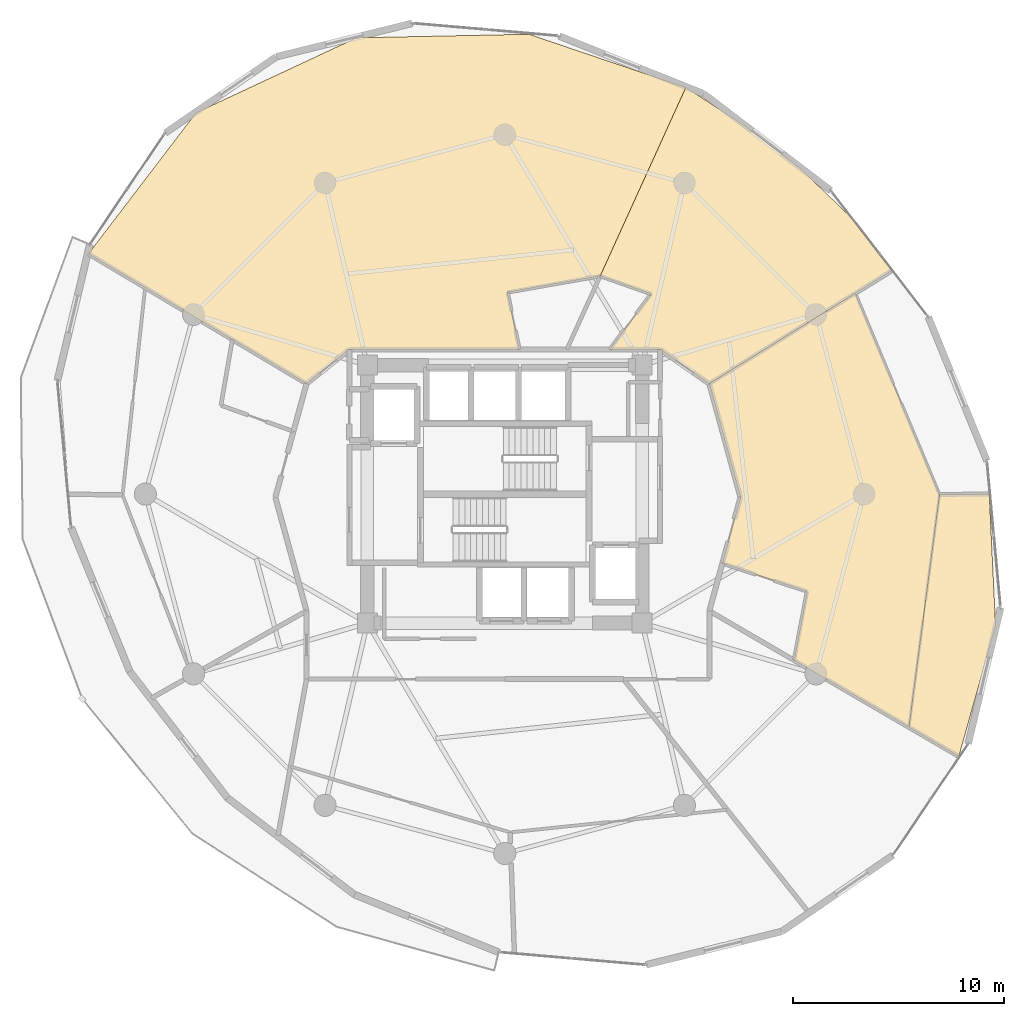
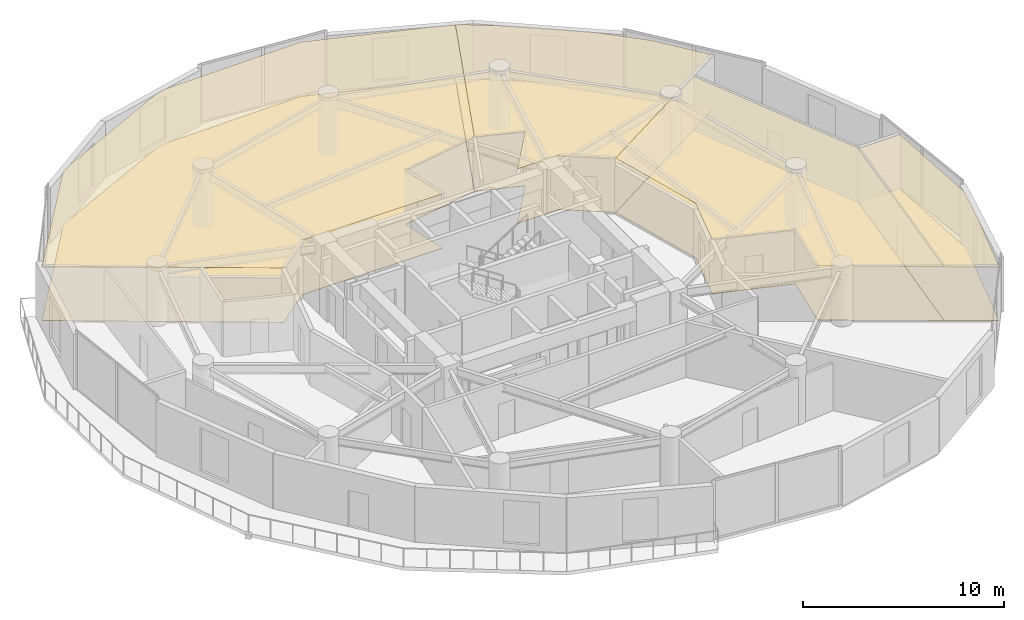
# One storey, part 22 of 22: 8 coverings.
"""IFC4 building model written with IfcOpenShell, lengths in metres."""

from ifc_helpers import new_model, si_unit, direction, frame, origin, place, context, subcontext, project, spatial, polyline, outline, extrude, material, layer, layer_set, type_object, element, save


model = new_model("IFC4")

# Units and contexts
model_context = context("Model", 3, precision=1e-05, world=origin(), true_north=direction((0.0, 1.0)))
body_context = subcontext(model_context, "Body", "Model", "MODEL_VIEW")
ifc_project = project(units=[si_unit("LENGTHUNIT", "METRE"), si_unit("AREAUNIT", "SQUARE_METRE"), si_unit("VOLUMEUNIT", "CUBIC_METRE"), si_unit("PLANEANGLEUNIT", "RADIAN"), si_unit("MASSUNIT", "GRAM", prefix="KILO")], contexts=[model_context])

# Site, building, storey
site_placement = place(None, origin())
site = spatial("IfcSite", under=ifc_project, at=site_placement, CompositionType="ELEMENT")
building_placement = place(site_placement, origin())
building = spatial("IfcBuilding", under=site, at=building_placement, Name="Solvirekh Grand Hotel", CompositionType="ELEMENT")
storey_placement = place(building_placement, frame((0.0, 0.0, 145.800048828125)))
storey = spatial("IfcBuildingStorey", under=building, at=storey_placement, Name="L37", CompositionType="ELEMENT", Elevation=145.800048828125)

# Coverings
ifc_material_1 = material(Name="Acoustic Mineral Ceiling Tile")
ifc_layer_1 = layer(ifc_material_1, 0.02490234375)
ifc_layer_set_1 = layer_set([ifc_layer_1], Name="Acoustic Mineral Ceiling Tile")
covering_type_1 = type_object("IfcCoveringType", Name="Cov_Ceiling_Acoustic", PredefinedType="CEILING", material=ifc_layer_set_1)
covering_1_placement = place(storey_placement, frame((0.0, 0.0, 3.300048828125)))
element("IfcCovering", 1, at=covering_1_placement, inside=storey, type_object=covering_type_1, Name="L37 Deluxe Guestroom 3901 acoustic ceiling", PredefinedType="CEILING", context=body_context, shape_type="SweptSolid", body=[
    extrude(outline(polyline([(2.93994140625, 6.85009765625), (4.514892578125, 10.318115234375), (6.929931640625, 9.468994140625), (4.968994140625, 6.85009765625), (7.35009765625, 6.85009765625), (9.676025390625, 5.22509765625), (18.302978515625, 10.56689453125), (16.281982421875, 13.18505859375), (13.919921875, 15.4599609375), (11.322998046875, 17.43505859375), (8.56494140625, 19.237060546875), (2.93994140625, 6.85009765625)])), origin(), (0.0, 0.0, 1.0), 0.017822265625),
])
covering_2_placement = place(storey_placement, frame((0.0, 0.0, 3.300048828125)))
element("IfcCovering", 2, at=covering_2_placement, inside=storey, type_object=covering_type_1, Name="L37 Panorama Suite 3902 acoustic ceiling", PredefinedType="CEILING", context=body_context, shape_type="SweptSolid", body=[
    extrude(outline(polyline([(0.68994140625, 6.85009765625), (0.1259765625, 9.547119140625), (4.514892578125, 10.318115234375), (8.56494140625, 19.237060546875), (1.139892578125, 21.751953125), (-7.012939453125, 21.5830078125), (-14.60498046875, 18.034912109375), (-19.68994140625, 11.367919921875), (-9.3759765625, 5.22509765625), (-7.35009765625, 6.85009765625), (0.68994140625, 6.85009765625)])), origin(), (0.0, 0.0, 1.0), 0.017822265625),
])
covering_3_placement = place(storey_placement, frame((0.0, 0.0, 3.300048828125)))
element("IfcCovering", 3, at=covering_3_placement, inside=storey, type_object=covering_type_1, Name="L37 Executive Suite 3904 Living Room acoustic ceiling", PredefinedType="CEILING", context=body_context, shape_type="SweptSolid", body=[
    extrude(outline(polyline([(14.302978515625, -4.60205078125), (13.68896484375, -7.863037109375), (19.117919921875, -11.02490234375), (20.56298828125, -0.030029296875), (16.577880859375, 9.4990234375), (9.676025390625, 5.22509765625), (11.14990234375, -0.14990234375), (10.294921875, -3.26806640625), (14.302978515625, -4.60205078125)])), origin(), (0.0, 0.0, 1.0), 0.017822265625),
])
covering_4_placement = place(storey_placement, frame((0.0, 0.0, 3.300048828125)))
element("IfcCovering", 4, at=covering_4_placement, inside=storey, type_object=covering_type_1, Name="L37 Executive Suite 3904 Master Bedroom acoustic ceiling", PredefinedType="CEILING", context=body_context, shape_type="SweptSolid", body=[
    extrude(outline(polyline([(21.47802734375, -12.39990234375), (23.216064453125, -6.220947265625), (22.916015625, 0.0), (20.56298828125, -0.030029296875), (19.117919921875, -11.02490234375), (21.47802734375, -12.39990234375)])), origin(), (0.0, 0.0, 1.0), 0.017822265625),
])
ifc_material_2 = material(Name="Porcelain Stoneware Flooring", Category="masonry")
ifc_layer_2 = layer(ifc_material_2, 0.030029296875)
ifc_layer_set_2 = layer_set([ifc_layer_2], Name="Porcelain Stoneware Flooring")
covering_type_2 = type_object("IfcCoveringType", Name="Cov_Floor_Stone", PredefinedType="FLOORING", material=ifc_layer_set_2)
covering_5_placement = place(storey_placement, origin())
element("IfcCovering", 5, at=covering_5_placement, inside=storey, type_object=covering_type_2, Name="L37 Deluxe Guestroom 3901 polished granite flooring", PredefinedType="FLOORING", context=body_context, shape_type="SweptSolid", body=[
    extrude(outline(polyline([(2.93994140625, 6.85009765625), (4.514892578125, 10.318115234375), (6.929931640625, 9.468994140625), (4.968994140625, 6.85009765625), (7.35009765625, 6.85009765625), (9.676025390625, 5.22509765625), (18.302978515625, 10.56689453125), (16.281982421875, 13.18505859375), (13.919921875, 15.4599609375), (11.322998046875, 17.43505859375), (8.56494140625, 19.237060546875), (2.93994140625, 6.85009765625)])), origin(), (0.0, 0.0, 1.0), 0.02001953125),
])
covering_6_placement = place(storey_placement, origin())
element("IfcCovering", 6, at=covering_6_placement, inside=storey, type_object=covering_type_2, Name="L37 Panorama Suite 3902 polished granite flooring", PredefinedType="FLOORING", context=body_context, shape_type="SweptSolid", body=[
    extrude(outline(polyline([(0.68994140625, 6.85009765625), (0.1259765625, 9.547119140625), (4.514892578125, 10.318115234375), (8.56494140625, 19.237060546875), (1.139892578125, 21.751953125), (-7.012939453125, 21.5830078125), (-14.60498046875, 18.034912109375), (-19.68994140625, 11.367919921875), (-9.3759765625, 5.22509765625), (-7.35009765625, 6.85009765625), (0.68994140625, 6.85009765625)])), origin(), (0.0, 0.0, 1.0), 0.02001953125),
])
covering_7_placement = place(storey_placement, origin())
element("IfcCovering", 7, at=covering_7_placement, inside=storey, type_object=covering_type_2, Name="L37 Executive Suite 3904 Living Room polished granite flooring", PredefinedType="FLOORING", context=body_context, shape_type="SweptSolid", body=[
    extrude(outline(polyline([(14.302978515625, -4.60205078125), (13.68896484375, -7.863037109375), (19.117919921875, -11.02490234375), (20.56298828125, -0.030029296875), (16.577880859375, 9.4990234375), (9.676025390625, 5.22509765625), (11.14990234375, -0.14990234375), (10.294921875, -3.26806640625), (14.302978515625, -4.60205078125)])), origin(), (0.0, 0.0, 1.0), 0.02001953125),
])
covering_8_placement = place(storey_placement, origin())
element("IfcCovering", 8, at=covering_8_placement, inside=storey, type_object=covering_type_2, Name="L37 Executive Suite 3904 Master Bedroom polished granite flooring", PredefinedType="FLOORING", context=body_context, shape_type="SweptSolid", body=[
    extrude(outline(polyline([(21.47802734375, -12.39990234375), (23.216064453125, -6.220947265625), (22.916015625, 0.0), (20.56298828125, -0.030029296875), (19.117919921875, -11.02490234375), (21.47802734375, -12.39990234375)])), origin(), (0.0, 0.0, 1.0), 0.02001953125),
])

save(model, "model.ifc")
